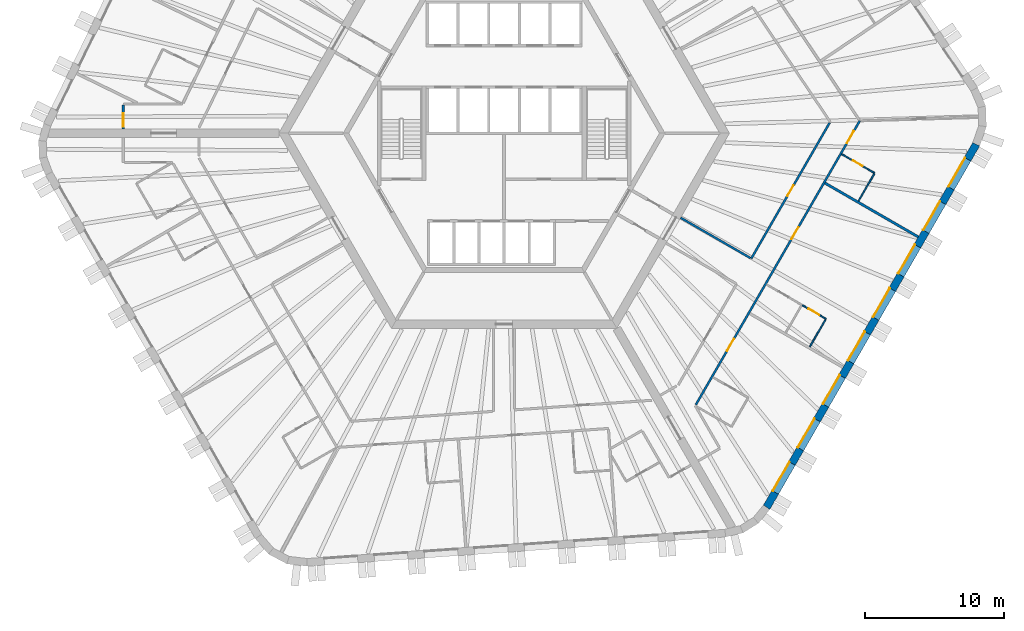
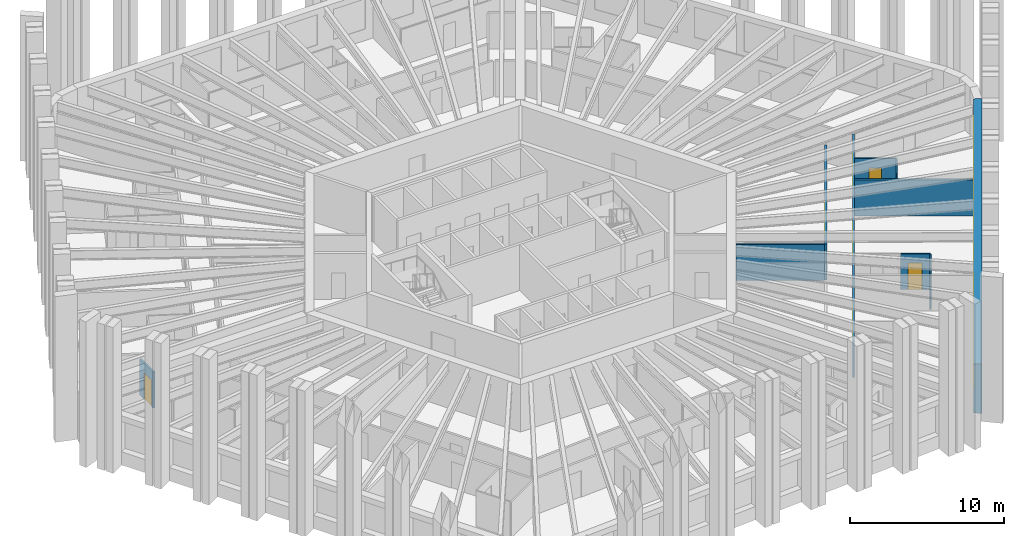
# One storey, part 6 of 13: 10 walls, 8 windows, 7 doors, 15 openings.
"""IFC4 building model written with IfcOpenShell, lengths in metres."""

from ifc_helpers import new_model, si_unit, direction, frame, frame_2d, origin, place, context, subcontext, project, spatial, polyline, rectangle, outline, extrude, material, layer, layer_set, type_object, element, fill, save


model = new_model("IFC4")

# Units and contexts
model_context = context("Model", 3, precision=1e-05, world=origin(), true_north=direction((0.0, 1.0)))
body_context = subcontext(model_context, "Body", "Model", "MODEL_VIEW")
ifc_project = project(units=[si_unit("LENGTHUNIT", "METRE"), si_unit("AREAUNIT", "SQUARE_METRE"), si_unit("VOLUMEUNIT", "CUBIC_METRE"), si_unit("PLANEANGLEUNIT", "RADIAN"), si_unit("MASSUNIT", "GRAM", prefix="KILO")], contexts=[model_context])

# Site, building, storey
site_placement = place(None, origin())
site = spatial("IfcSite", under=ifc_project, at=site_placement, CompositionType="ELEMENT")
building_placement = place(site_placement, origin())
building = spatial("IfcBuilding", under=site, at=building_placement, Name="Tarnside Tower", CompositionType="ELEMENT")
storey_placement = place(building_placement, frame((0.0, 0.0, 135.0)))
storey = spatial("IfcBuildingStorey", under=building, at=storey_placement, Name="L31", CompositionType="ELEMENT", Elevation=135.0)

# Wall, opening, door
ifc_material_1 = material(Name="Gypsum board partition on steel studs", Category="steel")
ifc_layer_1 = layer(ifc_material_1, 0.10009765625)
ifc_layer_set_1 = layer_set([ifc_layer_1], Name="Bathroom wall 100")
wall_type_1 = type_object("IfcWallType", Name="Bathroom wall 100", PredefinedType="PARTITIONING", material=ifc_layer_set_1)
wall_1_placement = place(storey_placement, frame((24.219970703125, -1.499755859375, 0.0), z_axis=(0.0, 0.0, 1.0), x_axis=(0.866012511928, -0.500022328685, 0.0)))
wall_1 = element("IfcWall", 1, at=wall_1_placement, inside=storey, type_object=wall_type_1, Name="Bathroom wall 10144", PredefinedType="PARTITIONING", context=body_context, shape_type="SweptSolid", body=[
    extrude(rectangle(XDim=2.72509765625, YDim=0.10009765625, at=frame_2d((1.362548828125, 0.0))), origin(), (0.0, 0.0, 1.0), 2.837890625),
])
opening_1_placement = place(wall_1_placement, frame((0.925048828125, 0.0, 0.0)))
opening_1 = element("IfcOpeningElement", 2, at=opening_1_placement, cuts=wall_1, Name="Opening D-B1", PredefinedType="OPENING", context=body_context, shape_type="SweptSolid", body=[
    extrude(rectangle(XDim=0.800048828125, YDim=2.10009765625, at=frame_2d((0.39990234375, 1.050048828125))), frame((0.0, 0.06005859375, 0.0), z_axis=(0.0, -1.0, 0.0), x_axis=(1.0, 0.0, 0.0)), (0.0, 0.0, 1.0), 0.1201171875),
])
ifc_material_2 = material(Name="Timber door leaf", Category="wood")
door_type_1 = type_object("IfcDoorType", Name="Bathroom door 800", OperationType="NOTDEFINED", PredefinedType="DOOR", material=ifc_material_2)
door_1_placement = place(opening_1_placement, origin())
door_1 = element("IfcDoor", 3, at=door_1_placement, inside=storey, type_object=door_type_1, Name="Bathroom door 10035", OperationType="SINGLE_SWING_RIGHT", OverallHeight=2.10009765625, OverallWidth=0.800048828125, PredefinedType="DOOR", context=body_context, shape_type="SweptSolid", body=[
    extrude(rectangle(XDim=0.800048828125, YDim=2.10009765625, at=frame_2d((0.39990234375, 1.050048828125))), frame((0.0, 0.02490234375, 0.0), z_axis=(0.0, -1.0, 0.0), x_axis=(1.0, 0.0, 0.0)), (0.0, 0.0, 1.0), 0.050048828125),
])
fill(opening_1, door_1)

# Wall
wall_2_placement = place(storey_placement, frame((26.554931640625, -2.90576171875, 0.0), z_axis=(0.0, 0.0, 1.0), x_axis=(-0.500077800282, -0.865980481111, 0.0)))
element("IfcWall", 4, at=wall_2_placement, inside=storey, type_object=wall_type_1, Name="Bathroom wall 10145", PredefinedType="PARTITIONING", context=body_context, shape_type="SweptSolid", body=[
    extrude(rectangle(XDim=2.260009765625, YDim=0.10009765625, at=frame_2d((1.1298828125, 0.0))), origin(), (0.0, 0.0, 1.0), 2.837890625),
])

# Wall, opening, door
ifc_layer_2 = layer(ifc_material_1, 0.14990234375)
ifc_layer_set_2 = layer_set([ifc_layer_2], Name="Corridor wall 150 EI 60")
wall_type_2 = type_object("IfcWallType", Name="Corridor wall 150 EI 60", PredefinedType="PARTITIONING", material=ifc_layer_set_2)
wall_3_placement = place(storey_placement, frame((-27.3203125, 2.02490234375, 0.0), z_axis=(0.0, 0.0, 1.0), x_axis=(0.0, -1.0, 0.0)))
wall_3 = element("IfcWall", 5, at=wall_3_placement, inside=storey, type_object=wall_type_2, Name="Corridor wall 10015", PredefinedType="PARTITIONING", context=body_context, shape_type="SweptSolid", body=[
    extrude(rectangle(XDim=1.724853515625, YDim=0.14990234375, at=frame_2d((0.8623046875, 0.0))), origin(), (0.0, 0.0, 1.0), 2.837890625),
])
opening_2_placement = place(wall_3_placement, frame((0.574951171875, 0.0, 0.0)))
opening_2 = element("IfcOpeningElement", 6, at=opening_2_placement, cuts=wall_3, Name="Opening D-E1", PredefinedType="OPENING", context=body_context, shape_type="SweptSolid", body=[
    extrude(rectangle(XDim=1.0, YDim=2.10009765625, at=frame_2d((0.5, 1.050048828125))), frame((0.0, 0.0849609375, 0.0), z_axis=(0.0, -1.0, 0.0), x_axis=(1.0, 0.0, 0.0)), (0.0, 0.0, 1.0), 0.169921875),
])
door_type_2 = type_object("IfcDoorType", Name="Unit entrance door 1000 FD30S", OperationType="NOTDEFINED", PredefinedType="DOOR", material=ifc_material_2)
door_2_placement = place(opening_2_placement, origin())
door_2 = element("IfcDoor", 7, at=door_2_placement, inside=storey, type_object=door_type_2, Name="Unit door 10016", OperationType="SINGLE_SWING_LEFT", OverallHeight=2.10009765625, OverallWidth=1.0, PredefinedType="DOOR", context=body_context, shape_type="SweptSolid", body=[
    extrude(rectangle(XDim=1.0, YDim=2.10009765625, at=frame_2d((0.5, 1.050048828125))), frame((0.0, 0.02490234375, 0.0), z_axis=(0.0, -1.0, 0.0), x_axis=(1.0, 0.0, 0.0)), (0.0, 0.0, 1.0), 0.050048828125),
])
fill(opening_2, door_2)

# Wall, openings, doors
wall_4_placement = place(storey_placement, frame((13.75537109375, -19.47509765625, 0.0), z_axis=(0.0, 0.0, 1.0), x_axis=(0.50000013933, 0.866025323342, 0.0)))
wall_4 = element("IfcWall", 8, at=wall_4_placement, inside=storey, type_object=wall_type_2, Name="Corridor wall 10053", PredefinedType="PARTITIONING", context=body_context, shape_type="SweptSolid", body=[
    extrude(rectangle(XDim=23.5166015625, YDim=0.14990234375, at=frame_2d((11.75830078125, 0.0))), origin(), (0.0, 0.0, 1.0), 2.837890625),
])
opening_3_placement = place(wall_4_placement, frame((4.456298828125, 0.0, 0.0)))
opening_3 = element("IfcOpeningElement", 9, at=opening_3_placement, cuts=wall_4, Name="Opening D-E1", PredefinedType="OPENING", context=body_context, shape_type="SweptSolid", body=[
    extrude(rectangle(XDim=1.0, YDim=2.10009765625, at=frame_2d((0.5, 1.050048828125))), frame((0.0, 0.0849609375, 0.0), z_axis=(0.0, -1.0, 0.0), x_axis=(1.0, 0.0, 0.0)), (0.0, 0.0, 1.0), 0.169921875),
])
opening_4_placement = place(wall_4_placement, frame((13.69921875, 0.0, 0.0)))
opening_4 = element("IfcOpeningElement", 10, at=opening_4_placement, cuts=wall_4, Name="Opening D-E1", PredefinedType="OPENING", context=body_context, shape_type="SweptSolid", body=[
    extrude(rectangle(XDim=1.0, YDim=2.10009765625, at=frame_2d((0.5, 1.050048828125))), frame((0.0, 0.0849609375, 0.0), z_axis=(0.0, -1.0, 0.0), x_axis=(1.0, 0.0, 0.0)), (0.0, 0.0, 1.0), 0.169921875),
])
opening_5_placement = place(wall_4_placement, frame((21.657958984375, 0.0, 0.0)))
opening_5 = element("IfcOpeningElement", 11, at=opening_5_placement, cuts=wall_4, Name="Opening D-E1", PredefinedType="OPENING", context=body_context, shape_type="SweptSolid", body=[
    extrude(rectangle(XDim=1.0, YDim=2.10009765625, at=frame_2d((0.5, 1.050048828125))), frame((0.0, 0.0849609375, 0.0), z_axis=(0.0, -1.0, 0.0), x_axis=(1.0, 0.0, 0.0)), (0.0, 0.0, 1.0), 0.169921875),
])
door_3_placement = place(opening_3_placement, origin())
door_3 = element("IfcDoor", 12, at=door_3_placement, inside=storey, type_object=door_type_2, Name="Unit door 10029", OperationType="SINGLE_SWING_LEFT", OverallHeight=2.10009765625, OverallWidth=1.0, PredefinedType="DOOR", context=body_context, shape_type="SweptSolid", body=[
    extrude(rectangle(XDim=1.0, YDim=2.10009765625, at=frame_2d((0.5, 1.050048828125))), frame((0.0, 0.02490234375, 0.0), z_axis=(0.0, -1.0, 0.0), x_axis=(1.0, 0.0, 0.0)), (0.0, 0.0, 1.0), 0.050048828125),
])
fill(opening_3, door_3)
door_4_placement = place(opening_4_placement, origin())
door_4 = element("IfcDoor", 13, at=door_4_placement, inside=storey, type_object=door_type_2, Name="Unit door 10031", OperationType="SINGLE_SWING_RIGHT", OverallHeight=2.10009765625, OverallWidth=1.0, PredefinedType="DOOR", context=body_context, shape_type="SweptSolid", body=[
    extrude(rectangle(XDim=1.0, YDim=2.10009765625, at=frame_2d((0.5, 1.050048828125))), frame((0.0, 0.02490234375, 0.0), z_axis=(0.0, -1.0, 0.0), x_axis=(1.0, 0.0, 0.0)), (0.0, 0.0, 1.0), 0.050048828125),
])
fill(opening_4, door_4)
door_5_placement = place(opening_5_placement, origin())
door_5 = element("IfcDoor", 14, at=door_5_placement, inside=storey, type_object=door_type_2, Name="Unit door 10034", OperationType="SINGLE_SWING_RIGHT", OverallHeight=2.10009765625, OverallWidth=1.0, PredefinedType="DOOR", context=body_context, shape_type="SweptSolid", body=[
    extrude(rectangle(XDim=1.0, YDim=2.10009765625, at=frame_2d((0.5, 1.050048828125))), frame((0.0, 0.02490234375, 0.0), z_axis=(0.0, -1.0, 0.0), x_axis=(1.0, 0.0, 0.0)), (0.0, 0.0, 1.0), 0.050048828125),
])
fill(opening_5, door_5)

# Wall, opening, door
wall_5_placement = place(storey_placement, frame((23.350830078125, 0.74462890625, 0.0), z_axis=(0.0, 0.0, 1.0), x_axis=(-0.500009458068, -0.866019943097, 0.0)))
wall_5 = element("IfcWall", 15, at=wall_5_placement, inside=storey, type_object=wall_type_2, Name="Corridor wall 10069", PredefinedType="PARTITIONING", context=body_context, shape_type="SweptSolid", body=[
    extrude(rectangle(XDim=11.241455078125, YDim=0.14990234375, at=frame_2d((5.62060546875, 0.0))), origin(), (0.0, 0.0, 1.0), 2.837890625),
])
opening_6_placement = place(wall_5_placement, frame((5.170654296875, 0.0, 0.0)))
opening_6 = element("IfcOpeningElement", 16, at=opening_6_placement, cuts=wall_5, Name="Opening D-S1", PredefinedType="OPENING", context=body_context, shape_type="SweptSolid", body=[
    extrude(rectangle(XDim=0.89990234375, YDim=2.10009765625, at=frame_2d((0.449951171875, 1.050048828125))), frame((0.0, 0.0849609375, 0.0), z_axis=(0.0, -1.0, 0.0), x_axis=(1.0, 0.0, 0.0)), (0.0, 0.0, 1.0), 0.169921875),
])
door_type_3 = type_object("IfcDoorType", Name="Service room door 900 FD30S", OperationType="NOTDEFINED", PredefinedType="DOOR", material=ifc_material_2)
door_6_placement = place(opening_6_placement, origin())
door_6 = element("IfcDoor", 17, at=door_6_placement, inside=storey, type_object=door_type_3, Name="Service door 10048", OperationType="SINGLE_SWING_LEFT", OverallHeight=2.10009765625, OverallWidth=0.89990234375, PredefinedType="DOOR", context=body_context, shape_type="SweptSolid", body=[
    extrude(rectangle(XDim=0.89990234375, YDim=2.10009765625, at=frame_2d((0.449951171875, 1.050048828125))), frame((0.0, 0.02490234375, 0.0), z_axis=(0.0, -1.0, 0.0), x_axis=(1.0, 0.0, 0.0)), (0.0, 0.0, 1.0), 0.050048828125),
])
fill(opening_6, door_6)

# Walls
wall_6_placement = place(storey_placement, frame((17.6650390625, -8.953125, 0.0), z_axis=(0.0, 0.0, 1.0), x_axis=(-0.866025774745, 0.499999357477, 0.0)))
element("IfcWall", 18, at=wall_6_placement, inside=storey, type_object=wall_type_2, Name="Corridor wall 10070", PredefinedType="PARTITIONING", context=body_context, shape_type="SweptSolid", body=[
    extrude(rectangle(XDim=5.77490234375, YDim=0.14990234375, at=frame_2d((2.887451171875, 0.0))), origin(), (0.0, 0.0, 1.0), 2.837890625),
])
ifc_layer_3 = layer(ifc_material_1, 0.179931640625)
ifc_layer_set_3 = layer_set([ifc_layer_3], Name="Demising wall 180 EI 60")
wall_type_3 = type_object("IfcWallType", Name="Demising wall 180 EI 60", PredefinedType="PARTITIONING", material=ifc_layer_set_3)
wall_7_placement = place(storey_placement, frame((29.7099609375, -7.44091796875, 0.0), z_axis=(0.0, 0.0, 1.0), x_axis=(-0.866019273868, 0.500010617176, 0.0)))
element("IfcWall", 19, at=wall_7_placement, inside=storey, type_object=wall_type_3, Name="Demising wall 10141", PredefinedType="PARTITIONING", context=body_context, shape_type="SweptSolid", body=[
    extrude(rectangle(XDim=7.724853515625, YDim=0.179931640625, at=frame_2d((3.8623046875, 0.0))), origin(), (0.0, 0.0, 1.0), 2.837890625),
])

# Wall, opening, door
ifc_layer_4 = layer(ifc_material_1, 0.10009765625)
ifc_layer_set_4 = layer_set([ifc_layer_4], Name="Partition 100")
wall_type_4 = type_object("IfcWallType", Name="Partition 100", PredefinedType="PARTITIONING", material=ifc_layer_set_4)
wall_8_placement = place(storey_placement, frame((21.396240234375, -12.34033203125, 0.0), z_axis=(0.0, 0.0, 1.0), x_axis=(0.866031321059, -0.49998975084, 0.0)))
wall_8 = element("IfcWall", 20, at=wall_8_placement, inside=storey, type_object=wall_type_4, Name="Partition wall 10139", PredefinedType="PARTITIONING", context=body_context, shape_type="SweptSolid", body=[
    extrude(rectangle(XDim=1.9501953125, YDim=0.10009765625, at=frame_2d((0.97509765625, 0.0))), origin(), (0.0, 0.0, 1.0), 2.837890625),
])
opening_7_placement = place(wall_8_placement, frame((0.5, 0.0, 0.0)))
opening_7 = element("IfcOpeningElement", 21, at=opening_7_placement, cuts=wall_8, Name="Opening D-I1", PredefinedType="OPENING", context=body_context, shape_type="SweptSolid", body=[
    extrude(rectangle(XDim=0.89990234375, YDim=2.10009765625, at=frame_2d((0.449951171875, 1.050048828125))), frame((0.0, 0.06005859375, 0.0), z_axis=(0.0, -1.0, 0.0), x_axis=(1.0, 0.0, 0.0)), (0.0, 0.0, 1.0), 0.1201171875),
])
door_type_4 = type_object("IfcDoorType", Name="Internal door 900", OperationType="NOTDEFINED", PredefinedType="DOOR", material=ifc_material_2)
door_7_placement = place(opening_7_placement, origin())
door_7 = element("IfcDoor", 22, at=door_7_placement, inside=storey, type_object=door_type_4, Name="Internal door 10033", OperationType="SINGLE_SWING_RIGHT", OverallHeight=2.10009765625, OverallWidth=0.89990234375, PredefinedType="DOOR", context=body_context, shape_type="SweptSolid", body=[
    extrude(rectangle(XDim=0.89990234375, YDim=2.10009765625, at=frame_2d((0.449951171875, 1.050048828125))), frame((0.0, 0.02490234375, 0.0), z_axis=(0.0, -1.0, 0.0), x_axis=(1.0, 0.0, 0.0)), (0.0, 0.0, 1.0), 0.050048828125),
])
fill(opening_7, door_7)

# Wall
wall_9_placement = place(storey_placement, frame((23.06005859375, -13.358642578125, 0.0), z_axis=(0.0, 0.0, 1.0), x_axis=(-0.49995000081, -0.866054268906, 0.0)))
element("IfcWall", 23, at=wall_9_placement, inside=storey, type_object=wall_type_4, Name="Partition wall 10140", PredefinedType="PARTITIONING", context=body_context, shape_type="SweptSolid", body=[
    extrude(rectangle(XDim=2.260009765625, YDim=0.10009765625, at=frame_2d((1.1298828125, 0.0))), origin(), (0.0, 0.0, 1.0), 2.837890625),
])

# Wall, openings, windows
ifc_material_3 = material(Name="Facing brick", Category="masonry")
ifc_layer_5 = layer(ifc_material_3, 0.10205078125)
ifc_material_4 = material(Name="Concrete C60/75 precast", Category="concrete")
ifc_layer_6 = layer(ifc_material_4, 0.347900390625)
ifc_material_5 = material(Name="Mineral wool insulation")
ifc_layer_7 = layer(ifc_material_5, 0.10009765625)
ifc_layer_set_5 = layer_set([ifc_layer_5, ifc_layer_6, ifc_layer_7], Name="Tube wall 550 brick faced")
wall_type_5 = type_object("IfcWallType", Name="Tube wall 550 brick faced", PredefinedType="SOLIDWALL", material=ifc_layer_set_5)
wall_10_placement = place(storey_placement, frame((18.830322265625, -26.834716796875, -0.14990234375), z_axis=(0.0, 0.0, 1.0), x_axis=(0.500003800416, 0.866023209602, 0.0)))
wall_10 = element("IfcWall", 24, at=wall_10_placement, inside=storey, type_object=wall_type_5, Name="Tube wall L31 F5 flush 16", PredefinedType="SOLIDWALL", context=body_context, shape_type="SweptSolid", body=[
    extrude(outline(polyline([(-0.0224609375, -0.27490234375), (30.0966796875, -0.27490234375), (30.04541015625, 0.27490234375), (0.0224609375, 0.27490234375), (-0.0224609375, -0.27490234375)])), origin(), (0.0, 0.0, 1.0), 3.89990234375),
])
opening_8_placement = place(wall_10_placement, frame((1.235595703125, 0.0, 1.050048828125)))
opening_8 = element("IfcOpeningElement", 25, at=opening_8_placement, cuts=wall_10, Name="Opening WH", PredefinedType="OPENING", context=body_context, shape_type="SweptSolid", body=[
    extrude(rectangle(XDim=2.39990234375, YDim=2.39990234375, at=frame_2d((1.199951171875, 1.199951171875))), frame((0.0, 0.28515625, 0.0), z_axis=(0.0, -1.0, 0.0), x_axis=(1.0, 0.0, 0.0)), (0.0, 0.0, 1.0), 0.570068359375),
])
opening_9_placement = place(wall_10_placement, frame((4.83544921875, 0.0, 1.050048828125)))
opening_9 = element("IfcOpeningElement", 26, at=opening_9_placement, cuts=wall_10, Name="Opening WH", PredefinedType="OPENING", context=body_context, shape_type="SweptSolid", body=[
    extrude(rectangle(XDim=2.39990234375, YDim=2.39990234375, at=frame_2d((1.199951171875, 1.199951171875))), frame((0.0, 0.28515625, 0.0), z_axis=(0.0, -1.0, 0.0), x_axis=(1.0, 0.0, 0.0)), (0.0, 0.0, 1.0), 0.570068359375),
])
opening_10_placement = place(wall_10_placement, frame((8.435546875, 0.0, 1.050048828125)))
opening_10 = element("IfcOpeningElement", 27, at=opening_10_placement, cuts=wall_10, Name="Opening WH", PredefinedType="OPENING", context=body_context, shape_type="SweptSolid", body=[
    extrude(rectangle(XDim=2.39990234375, YDim=2.39990234375, at=frame_2d((1.199951171875, 1.199951171875))), frame((0.0, 0.28515625, 0.0), z_axis=(0.0, -1.0, 0.0), x_axis=(1.0, 0.0, 0.0)), (0.0, 0.0, 1.0), 0.570068359375),
])
opening_11_placement = place(wall_10_placement, frame((12.035400390625, 0.0, 1.050048828125)))
opening_11 = element("IfcOpeningElement", 28, at=opening_11_placement, cuts=wall_10, Name="Opening WH", PredefinedType="OPENING", context=body_context, shape_type="SweptSolid", body=[
    extrude(rectangle(XDim=2.39990234375, YDim=2.39990234375, at=frame_2d((1.199951171875, 1.199951171875))), frame((0.0, 0.28515625, 0.0), z_axis=(0.0, -1.0, 0.0), x_axis=(1.0, 0.0, 0.0)), (0.0, 0.0, 1.0), 0.570068359375),
])
opening_12_placement = place(wall_10_placement, frame((15.635498046875, 0.0, 1.050048828125)))
opening_12 = element("IfcOpeningElement", 29, at=opening_12_placement, cuts=wall_10, Name="Opening WH", PredefinedType="OPENING", context=body_context, shape_type="SweptSolid", body=[
    extrude(rectangle(XDim=2.39990234375, YDim=2.39990234375, at=frame_2d((1.199951171875, 1.199951171875))), frame((0.0, 0.28515625, 0.0), z_axis=(0.0, -1.0, 0.0), x_axis=(1.0, 0.0, 0.0)), (0.0, 0.0, 1.0), 0.570068359375),
])
opening_13_placement = place(wall_10_placement, frame((19.235595703125, 0.0, 1.050048828125)))
opening_13 = element("IfcOpeningElement", 30, at=opening_13_placement, cuts=wall_10, Name="Opening WH", PredefinedType="OPENING", context=body_context, shape_type="SweptSolid", body=[
    extrude(rectangle(XDim=2.39990234375, YDim=2.39990234375, at=frame_2d((1.199951171875, 1.199951171875))), frame((0.0, 0.28515625, 0.0), z_axis=(0.0, -1.0, 0.0), x_axis=(1.0, 0.0, 0.0)), (0.0, 0.0, 1.0), 0.570068359375),
])
opening_14_placement = place(wall_10_placement, frame((22.83544921875, 0.0, 1.050048828125)))
opening_14 = element("IfcOpeningElement", 31, at=opening_14_placement, cuts=wall_10, Name="Opening WH", PredefinedType="OPENING", context=body_context, shape_type="SweptSolid", body=[
    extrude(rectangle(XDim=2.39990234375, YDim=2.39990234375, at=frame_2d((1.199951171875, 1.199951171875))), frame((0.0, 0.28515625, 0.0), z_axis=(0.0, -1.0, 0.0), x_axis=(1.0, 0.0, 0.0)), (0.0, 0.0, 1.0), 0.570068359375),
])
opening_15_placement = place(wall_10_placement, frame((26.435546875, 0.0, 1.050048828125)))
opening_15 = element("IfcOpeningElement", 32, at=opening_15_placement, cuts=wall_10, Name="Opening WH", PredefinedType="OPENING", context=body_context, shape_type="SweptSolid", body=[
    extrude(rectangle(XDim=2.39990234375, YDim=2.39990234375, at=frame_2d((1.199951171875, 1.199951171875))), frame((0.0, 0.28515625, 0.0), z_axis=(0.0, -1.0, 0.0), x_axis=(1.0, 0.0, 0.0)), (0.0, 0.0, 1.0), 0.570068359375),
])
ifc_material_6 = material(Name="Aluminium-framed double glazing", Category="aluminium")
window_type = type_object("IfcWindowType", Name="Hotel window 2400 x 2400", PartitioningType="DOUBLE_PANEL_VERTICAL", PredefinedType="WINDOW", material=ifc_material_6)
window_1_placement = place(opening_8_placement, frame((0.0, 0.205078125, 0.0)))
window_1 = element("IfcWindow", 33, at=window_1_placement, inside=storey, type_object=window_type, Name="E.WN.L31.F5.00", OverallHeight=2.39990234375, OverallWidth=2.39990234375, PartitioningType="DOUBLE_PANEL_VERTICAL", PredefinedType="WINDOW", context=body_context, shape_type="SweptSolid", body=[
    extrude(rectangle(XDim=2.39990234375, YDim=2.39990234375, at=frame_2d((1.199951171875, 1.199951171875))), frame((0.0, 0.030029296875, 0.0), z_axis=(0.0, -1.0, 0.0), x_axis=(1.0, 0.0, 0.0)), (0.0, 0.0, 1.0), 0.06005859375),
])
fill(opening_8, window_1)
window_2_placement = place(opening_9_placement, frame((0.0, 0.205078125, 0.0)))
window_2 = element("IfcWindow", 34, at=window_2_placement, inside=storey, type_object=window_type, Name="E.WN.L31.F5.01", OverallHeight=2.39990234375, OverallWidth=2.39990234375, PartitioningType="DOUBLE_PANEL_VERTICAL", PredefinedType="WINDOW", context=body_context, shape_type="SweptSolid", body=[
    extrude(rectangle(XDim=2.39990234375, YDim=2.39990234375, at=frame_2d((1.199951171875, 1.199951171875))), frame((0.0, 0.030029296875, 0.0), z_axis=(0.0, -1.0, 0.0), x_axis=(1.0, 0.0, 0.0)), (0.0, 0.0, 1.0), 0.06005859375),
])
fill(opening_9, window_2)
window_3_placement = place(opening_10_placement, frame((0.0, 0.205078125, 0.0)))
window_3 = element("IfcWindow", 35, at=window_3_placement, inside=storey, type_object=window_type, Name="E.WN.L31.F5.02", OverallHeight=2.39990234375, OverallWidth=2.39990234375, PartitioningType="DOUBLE_PANEL_VERTICAL", PredefinedType="WINDOW", context=body_context, shape_type="SweptSolid", body=[
    extrude(rectangle(XDim=2.39990234375, YDim=2.39990234375, at=frame_2d((1.199951171875, 1.199951171875))), frame((0.0, 0.030029296875, 0.0), z_axis=(0.0, -1.0, 0.0), x_axis=(1.0, 0.0, 0.0)), (0.0, 0.0, 1.0), 0.06005859375),
])
fill(opening_10, window_3)
window_4_placement = place(opening_11_placement, frame((0.0, 0.205078125, 0.0)))
window_4 = element("IfcWindow", 36, at=window_4_placement, inside=storey, type_object=window_type, Name="E.WN.L31.F5.03", OverallHeight=2.39990234375, OverallWidth=2.39990234375, PartitioningType="DOUBLE_PANEL_VERTICAL", PredefinedType="WINDOW", context=body_context, shape_type="SweptSolid", body=[
    extrude(rectangle(XDim=2.39990234375, YDim=2.39990234375, at=frame_2d((1.199951171875, 1.199951171875))), frame((0.0, 0.030029296875, 0.0), z_axis=(0.0, -1.0, 0.0), x_axis=(1.0, 0.0, 0.0)), (0.0, 0.0, 1.0), 0.06005859375),
])
fill(opening_11, window_4)
window_5_placement = place(opening_12_placement, frame((0.0, 0.205078125, 0.0)))
window_5 = element("IfcWindow", 37, at=window_5_placement, inside=storey, type_object=window_type, Name="E.WN.L31.F5.04", OverallHeight=2.39990234375, OverallWidth=2.39990234375, PartitioningType="DOUBLE_PANEL_VERTICAL", PredefinedType="WINDOW", context=body_context, shape_type="SweptSolid", body=[
    extrude(rectangle(XDim=2.39990234375, YDim=2.39990234375, at=frame_2d((1.199951171875, 1.199951171875))), frame((0.0, 0.030029296875, 0.0), z_axis=(0.0, -1.0, 0.0), x_axis=(1.0, 0.0, 0.0)), (0.0, 0.0, 1.0), 0.06005859375),
])
fill(opening_12, window_5)
window_6_placement = place(opening_13_placement, frame((0.0, 0.205078125, 0.0)))
window_6 = element("IfcWindow", 38, at=window_6_placement, inside=storey, type_object=window_type, Name="E.WN.L31.F5.05", OverallHeight=2.39990234375, OverallWidth=2.39990234375, PartitioningType="DOUBLE_PANEL_VERTICAL", PredefinedType="WINDOW", context=body_context, shape_type="SweptSolid", body=[
    extrude(rectangle(XDim=2.39990234375, YDim=2.39990234375, at=frame_2d((1.199951171875, 1.199951171875))), frame((0.0, 0.030029296875, 0.0), z_axis=(0.0, -1.0, 0.0), x_axis=(1.0, 0.0, 0.0)), (0.0, 0.0, 1.0), 0.06005859375),
])
fill(opening_13, window_6)
window_7_placement = place(opening_14_placement, frame((0.0, 0.205078125, 0.0)))
window_7 = element("IfcWindow", 39, at=window_7_placement, inside=storey, type_object=window_type, Name="E.WN.L31.F5.06", OverallHeight=2.39990234375, OverallWidth=2.39990234375, PartitioningType="DOUBLE_PANEL_VERTICAL", PredefinedType="WINDOW", context=body_context, shape_type="SweptSolid", body=[
    extrude(rectangle(XDim=2.39990234375, YDim=2.39990234375, at=frame_2d((1.199951171875, 1.199951171875))), frame((0.0, 0.030029296875, 0.0), z_axis=(0.0, -1.0, 0.0), x_axis=(1.0, 0.0, 0.0)), (0.0, 0.0, 1.0), 0.06005859375),
])
fill(opening_14, window_7)
window_8_placement = place(opening_15_placement, frame((0.0, 0.205078125, 0.0)))
window_8 = element("IfcWindow", 40, at=window_8_placement, inside=storey, type_object=window_type, Name="E.WN.L31.F5.07", OverallHeight=2.39990234375, OverallWidth=2.39990234375, PartitioningType="DOUBLE_PANEL_VERTICAL", PredefinedType="WINDOW", context=body_context, shape_type="SweptSolid", body=[
    extrude(rectangle(XDim=2.39990234375, YDim=2.39990234375, at=frame_2d((1.199951171875, 1.199951171875))), frame((0.0, 0.030029296875, 0.0), z_axis=(0.0, -1.0, 0.0), x_axis=(1.0, 0.0, 0.0)), (0.0, 0.0, 1.0), 0.06005859375),
])
fill(opening_15, window_8)

save(model, "model.ifc")
